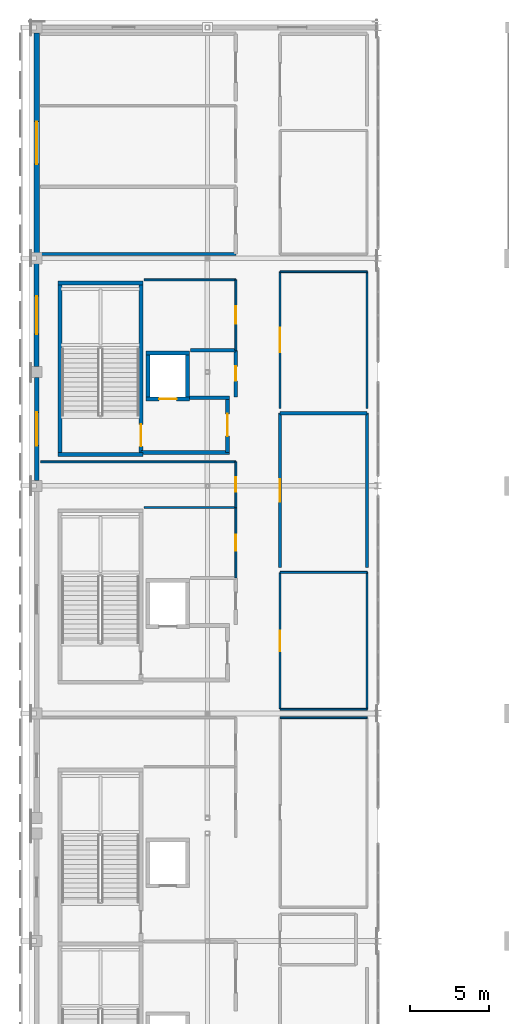
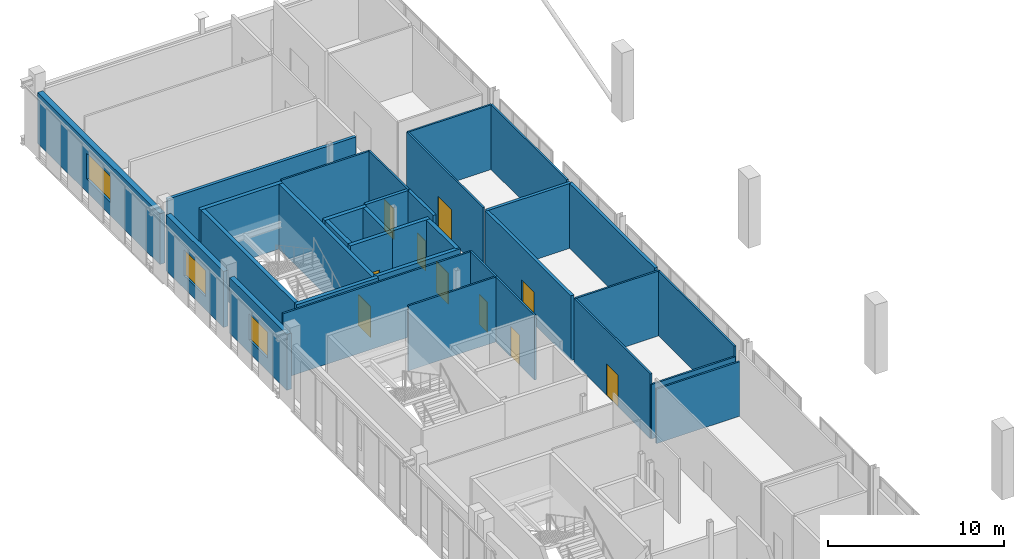
# One storey, part 34 of 51: 34 walls, 10 doors, 3 windows, 13 openings.
"""IFC4 building model written with IfcOpenShell, lengths in metres."""

import ifcopenshell
import ifcopenshell.guid

model = None  # the IFC model being written
_history = None  # IfcOwnerHistory: only IFC2X3 demands one
_inside = {}  # id of a spatial element -> (the spatial element, [elements in it])
_under = {}  # id of a project, library or spatial element -> (it, [spatial elements below it])
_declared = {}  # id of a project -> (the project, [libraries it declares])
_typed = {}  # id of a type object -> (the type object, [elements of that type])
_made_of = {}  # id of a material, layer set ... -> (it, [elements and type objects made of it])


def new_model(schema):
    """Start an empty IFC model of exactly this schema.

    Asked for "IFC4X3", IfcOpenShell would pick the latest addendum, in which some entities
    have other attributes; the version numbers below select the first issue.
    IFC2X3 requires an IfcOwnerHistory on every rooted entity: one is made here for all.
    """
    global model, _history
    if schema == "IFC4X3":
        model = ifcopenshell.file(schema_version=(4, 3, 0, 0))
    else:
        model = ifcopenshell.file(schema=schema)
    _inside.clear()
    _under.clear()
    _declared.clear()
    _typed.clear()
    _made_of.clear()
    _history = None
    if model.schema == "IFC2X3":
        org = make("IfcOrganization", Name="unknown")
        user = make(
            "IfcPersonAndOrganization",
            ThePerson=make("IfcPerson", FamilyName="unknown"),
            TheOrganization=org,
        )
        app = make(
            "IfcApplication",
            ApplicationDeveloper=org,
            Version="unknown",
            ApplicationFullName="unknown",
            ApplicationIdentifier="unknown",
        )
        _history = make(
            "IfcOwnerHistory",
            OwningUser=user,
            OwningApplication=app,
            ChangeAction="ADDED",
            CreationDate=0,
        )
    return model


def make(cls, **values):
    """One entity of the class cls with the attributes given. An attribute that is None is left unset."""
    return model.create_entity(
        cls, **{name: value for name, value in values.items() if value is not None}
    )


def rooted(cls, **values):
    """An entity with a GlobalId (a new one), such as an element, a storey or a relation."""
    return make(cls, GlobalId=ifcopenshell.guid.new(), OwnerHistory=_history, **values)


def si_unit(unit_type, name, prefix=None):
    """IfcSIUnit, for example si_unit("LENGTHUNIT", "METRE", prefix="MILLI")."""
    return make("IfcSIUnit", UnitType=unit_type, Prefix=prefix, Name=name)


def assignment(units):
    """IfcUnitAssignment: the units of a project."""
    return None if units is None else make("IfcUnitAssignment", Units=units)


def point(xyz):
    """IfcCartesianPoint."""
    return None if xyz is None else make("IfcCartesianPoint", Coordinates=xyz)


def direction(xyz):
    """IfcDirection."""
    return None if xyz is None else make("IfcDirection", DirectionRatios=xyz)


def frame(location, z_axis=None, x_axis=None):
    """IfcAxis2Placement3D, a coordinate frame: its origin and axes. An axis left out is left unset."""
    return make(
        "IfcAxis2Placement3D",
        Location=point(location),
        Axis=direction(z_axis),
        RefDirection=direction(x_axis),
    )


def frame_2d(location, x_axis=None):
    """IfcAxis2Placement2D, a coordinate frame in the plane: its origin and x axis."""
    return make(
        "IfcAxis2Placement2D", Location=point(location), RefDirection=direction(x_axis)
    )


def origin():
    """The frame at (0, 0, 0) with its axes left unset."""
    return frame((0.0, 0.0, 0.0))


def place(relative_to, where):
    """IfcLocalPlacement: puts the frame where relative to a parent placement (None: the world)."""
    return make(
        "IfcLocalPlacement", PlacementRelTo=relative_to, RelativePlacement=where
    )


def context(
    kind, dimensions, precision=None, world=None, true_north=None, identifier=None
):
    """IfcGeometricRepresentationContext, for example the 3D "Model" context."""
    return make(
        "IfcGeometricRepresentationContext",
        ContextIdentifier=identifier,
        ContextType=kind,
        CoordinateSpaceDimension=dimensions,
        Precision=precision,
        WorldCoordinateSystem=world,
        TrueNorth=true_north,
    )


def subcontext(parent, identifier, kind, view, scale=None):
    """IfcGeometricRepresentationSubContext, for example "Body" below "Model"."""
    return make(
        "IfcGeometricRepresentationSubContext",
        ContextIdentifier=identifier,
        ContextType=kind,
        ParentContext=parent,
        TargetScale=scale,
        TargetView=view,
    )


def project(units=None, contexts=None):
    """IfcProject with its units and contexts."""
    return rooted(
        "IfcProject",
        Name="project",
        RepresentationContexts=contexts,
        UnitsInContext=assignment(units),
    )


def spatial(cls, under=None, at=None, **own):
    """A site, building, storey or space (cls), placed at a placement, below another one or the project."""
    s = rooted(cls, ObjectPlacement=at, **own)
    if under is not None:
        _under.setdefault(under.id(), (under, []))[1].append(s)
    return s


def profile(cls, at=None, kind="AREA", **sizes):
    """A parametric profile (cls). Its sizes go by their IFC names, for example OverallWidth=200.0."""
    return make(cls, ProfileType=kind, Position=at, **sizes)


def rectangle(**sizes):
    """IfcRectangleProfileDef."""
    return profile("IfcRectangleProfileDef", **sizes)


def extrude(swept, where, along, depth):
    """IfcExtrudedAreaSolid: the profile swept, set in the frame where, extruded along a direction by depth."""
    return make(
        "IfcExtrudedAreaSolid",
        SweptArea=swept,
        Position=where,
        ExtrudedDirection=direction(along),
        Depth=depth,
    )


def shape(context_of_items, identifier, shape_type, items):
    """IfcShapeRepresentation: the items that make up one representation, for example the "Body"."""
    return make(
        "IfcShapeRepresentation",
        ContextOfItems=context_of_items,
        RepresentationIdentifier=identifier,
        RepresentationType=shape_type,
        Items=items,
    )


def material(Name=None, Category=None):
    """IfcMaterial."""
    return make("IfcMaterial", Name=Name, Category=Category)


def layer(
    of_material, thickness, ventilated=None, Name=None, Category=None, Priority=None
):
    """IfcMaterialLayer: one layer of a wall or slab, of a material (None: an air gap)."""
    return make(
        "IfcMaterialLayer",
        Material=of_material,
        LayerThickness=thickness,
        IsVentilated=ventilated,
        Name=Name,
        Category=Category,
        Priority=Priority,
    )


def layer_set(layers, Name=None):
    """IfcMaterialLayerSet."""
    return make("IfcMaterialLayerSet", MaterialLayers=layers, LayerSetName=Name)


def made_of(thing, what):
    """Note that an element or type object is made of a material, layer set ...; save() writes the relation."""
    if what is not None:
        _made_of.setdefault(what.id(), (what, []))[1].append(thing)
    return thing


def type_object(cls, material=None, **own):
    """A type object (cls), such as IfcWallType, which elements share."""
    return made_of(rooted(cls, **own), material)


def element(
    cls,
    number,
    at=None,
    inside=None,
    cuts=None,
    type_object=None,
    material=None,
    context=None,
    identifier="Body",
    shape_type=None,
    held_by="IfcProductDefinitionShape",
    body=None,
    shapes=None,
    **own,
):
    """One element of the class cls, such as IfcWall. Its Tag is "e" and its number.

    at: its placement. inside: the storey or other place that contains it. cuts: it is an
    opening in that element (IfcRelVoidsElement). A single representation is given by context,
    identifier, shape_type and body (its items); several are given by shapes. held_by: the class
    of the entity that holds the representations. save() writes the other relations.
    """
    e = rooted(cls, Tag="e%d" % number, ObjectPlacement=at, **own)
    if body is not None:
        shapes = [shape(context, identifier, shape_type, body)]
    if shapes is not None:
        e.Representation = make(held_by, Representations=shapes)
    if inside is not None:
        _inside.setdefault(inside.id(), (inside, []))[1].append(e)
    if cuts is not None:
        rooted(
            "IfcRelVoidsElement", RelatingBuildingElement=cuts, RelatedOpeningElement=e
        )
    if type_object is not None:
        _typed.setdefault(type_object.id(), (type_object, []))[1].append(e)
    return made_of(e, material)


def fill(opening, filler):
    """IfcRelFillsElement: the door or window that sits in an opening."""
    return rooted(
        "IfcRelFillsElement",
        RelatingOpeningElement=opening,
        RelatedBuildingElement=filler,
    )


def aggregate(whole, parts):
    """IfcRelAggregates: a whole, such as a stair, and the parts it consists of."""
    return rooted("IfcRelAggregates", RelatingObject=whole, RelatedObjects=parts)


def save(model, path):
    """Write the relations noted so far, then the file.

    IfcRelAggregates (storeys below a building ...), IfcRelContainedInSpatialStructure (elements
    in a storey), IfcRelDefinesByType, IfcRelAssociatesMaterial and IfcRelDeclares: one each for
    every whole, place, type object, material and project.
    """
    for whole, parts in _under.values():
        aggregate(whole, parts)
    for where, things in _inside.values():
        rooted(
            "IfcRelContainedInSpatialStructure",
            RelatedElements=things,
            RelatingStructure=where,
        )
    for kind, things in _typed.values():
        rooted("IfcRelDefinesByType", RelatedObjects=things, RelatingType=kind)
    for what, things in _made_of.values():
        rooted("IfcRelAssociatesMaterial", RelatedObjects=things, RelatingMaterial=what)
    for by, libraries in _declared.values():
        rooted("IfcRelDeclares", RelatingContext=by, RelatedDefinitions=libraries)
    model.write(path)


model = new_model("IFC4")

# Units and contexts
model_context = context("Model", 3, precision=1e-05, world=origin(), true_north=direction((0.0, 1.0)))
body_context = subcontext(model_context, "Body", "Model", "MODEL_VIEW")
ifc_project = project(units=[si_unit("LENGTHUNIT", "METRE"), si_unit("AREAUNIT", "SQUARE_METRE"), si_unit("VOLUMEUNIT", "CUBIC_METRE"), si_unit("PLANEANGLEUNIT", "RADIAN"), si_unit("MASSUNIT", "GRAM", prefix="KILO")], contexts=[model_context])

# Site, building, storey
site_placement = place(None, origin())
site = spatial("IfcSite", under=ifc_project, at=site_placement, CompositionType="ELEMENT")
building_placement = place(site_placement, origin())
building = spatial("IfcBuilding", under=site, at=building_placement, Name="Koshinbarg Plaza Stadium", CompositionType="ELEMENT")
storey_placement = place(building_placement, frame((0.0, 0.0, 24.60009765625)))
storey = spatial("IfcBuildingStorey", under=building, at=storey_placement, Name="L05", CompositionType="ELEMENT", Elevation=24.60009765625)

# Walls
ifc_material_1 = material(Name="Concrete C40/50", Category="concrete")
ifc_layer_1 = layer(ifc_material_1, 0.25)
ifc_layer_set_1 = layer_set([ifc_layer_1], Name="Concrete C40/50")
wall_type_1 = type_object("IfcWallType", Name="WL-CORE-250", PredefinedType="SHEAR", material=ifc_layer_set_1)
for number, where, z_axis, x_axis, name in (
    (1, (25.949951171875, 99.47509765625, 0.0), (0.0, 0.0, 1.0), (1.0, 0.0, 0.0), "L05 core stair shear wall C06-near IWL-L05-0154"),
    (2, (31.320068359375, 110.324951171875, 0.0), (0.0, 0.0, 1.0), (-1.0, 0.0, 0.0), "L05 core stair shear wall C06-far IWL-L05-0155"),
):
    element("IfcWall", number, at=place(storey_placement, frame(where, z_axis=z_axis, x_axis=x_axis)), inside=storey, type_object=wall_type_1, Name=name, PredefinedType="SHEAR", context=body_context, shape_type="SweptSolid", body=[
        extrude(rectangle(XDim=5.3701171875, YDim=0.25, at=frame_2d((2.68505859375, 0.0))), origin(), (0.0, 0.0, 1.0), 4.5),
    ])
wall_1_placement = place(storey_placement, frame((26.074951171875, 99.47509765625, 0.0), z_axis=(0.0, 0.0, 1.0), x_axis=(0.0, 1.0, 0.0)))
element("IfcWall", 3, at=wall_1_placement, inside=storey, type_object=wall_type_1, Name="L05 core stair shear wall C06-left IWL-L05-0156", PredefinedType="SHEAR", context=body_context, shape_type="SweptSolid", body=[
    extrude(rectangle(XDim=10.849853515625, YDim=0.25, at=frame_2d((5.4248046875, 0.0))), origin(), (0.0, 0.0, 1.0), 4.5),
])

# Wall, opening, door
wall_2_placement = place(storey_placement, frame((31.195068359375, 99.47509765625, 0.0), z_axis=(0.0, 0.0, 1.0), x_axis=(0.0, 1.0, 0.0)))
wall_2 = element("IfcWall", 4, at=wall_2_placement, inside=storey, type_object=wall_type_1, Name="L05 core stair shear wall C06-right IWL-L05-0157", PredefinedType="SHEAR", context=body_context, shape_type="SweptSolid", body=[
    extrude(rectangle(XDim=10.849853515625, YDim=0.25, at=frame_2d((5.4248046875, 0.0))), origin(), (0.0, 0.0, 1.0), 4.5),
])
opening_1_placement = place(wall_2_placement, frame((0.52001953125, 0.0, 0.0)))
opening_1 = element("IfcOpeningElement", 5, at=opening_1_placement, cuts=wall_2, Name="Opening D-0101", PredefinedType="OPENING", context=body_context, shape_type="SweptSolid", body=[
    extrude(rectangle(XDim=1.39990234375, YDim=2.14990234375, at=frame_2d((0.699951171875, 1.074951171875))), frame((0.0, 0.135009765625, 0.0), z_axis=(0.0, -1.0, 0.0), x_axis=(1.0, 0.0, 0.0)), (0.0, 0.0, 1.0), 0.27001953125),
])
ifc_material_2 = material(Name="Painted galvanized steel fire door", Category="steel")
door_type_1 = type_object("IfcDoorType", Name="DR-STAIR-1400", OperationType="NOTDEFINED", PredefinedType="DOOR", material=ifc_material_2)
door_1_placement = place(opening_1_placement, origin())
door_1 = element("IfcDoor", 6, at=door_1_placement, inside=storey, type_object=door_type_1, Name="L05 exit stair door C06", OperationType="SINGLE_SWING_RIGHT", OverallHeight=2.14990234375, OverallWidth=1.39990234375, PredefinedType="DOOR", context=body_context, shape_type="SweptSolid", body=[
    extrude(rectangle(XDim=1.39990234375, YDim=2.14990234375, at=frame_2d((0.699951171875, 1.074951171875))), frame((0.0, 0.02490234375, 0.0), z_axis=(0.0, -1.0, 0.0), x_axis=(1.0, 0.0, 0.0)), (0.0, 0.0, 1.0), 0.050048828125),
])
fill(opening_1, door_1)

wall_3_placement = place(storey_placement, frame((31.52490234375, 103.0, 0.0), z_axis=(0.0, 0.0, 1.0), x_axis=(1.0, 0.0, 0.0)))
wall_3 = element("IfcWall", 7, at=wall_3_placement, inside=storey, type_object=wall_type_1, Name="L05 lift shaft shear wall FL04-S IWL-L05-0848", PredefinedType="SHEAR", context=body_context, shape_type="SweptSolid", body=[
    extrude(rectangle(XDim=2.75, YDim=0.25, at=frame_2d((1.375, 0.0))), origin(), (0.0, 0.0, 1.0), 4.5),
])
opening_2_placement = place(wall_3_placement, frame((0.824951171875, 0.0, 0.0)))
opening_2 = element("IfcOpeningElement", 8, at=opening_2_placement, cuts=wall_3, Name="Opening D-0281", PredefinedType="OPENING", context=body_context, shape_type="SweptSolid", body=[
    extrude(rectangle(XDim=1.10009765625, YDim=2.14990234375, at=frame_2d((0.550048828125, 1.074951171875))), frame((0.0, 0.135009765625, 0.0), z_axis=(0.0, -1.0, 0.0), x_axis=(1.0, 0.0, 0.0)), (0.0, 0.0, 1.0), 0.27001953125),
])
ifc_material_3 = material(Name="Brushed stainless steel sliding lift landing door", Category="steel")
door_type_2 = type_object("IfcDoorType", Name="DR-LIFT-1100", OperationType="NOTDEFINED", PredefinedType="DOOR", material=ifc_material_3)
door_2_placement = place(opening_2_placement, origin())
door_2 = element("IfcDoor", 9, at=door_2_placement, inside=storey, type_object=door_type_2, Name="L05 lift landing door FL04", OperationType="SLIDING_TO_LEFT", OverallHeight=2.14990234375, OverallWidth=1.10009765625, PredefinedType="DOOR", context=body_context, shape_type="SweptSolid", body=[
    extrude(rectangle(XDim=1.10009765625, YDim=2.14990234375, at=frame_2d((0.550048828125, 1.074951171875))), frame((0.0, 0.02490234375, 0.0), z_axis=(0.0, -1.0, 0.0), x_axis=(1.0, 0.0, 0.0)), (0.0, 0.0, 1.0), 0.050048828125),
])
fill(opening_2, door_2)

# Walls
wall_4_placement = place(storey_placement, frame((34.27490234375, 105.89990234375, 0.0), z_axis=(0.0, 0.0, 1.0), x_axis=(-1.0, 0.0, 0.0)))
element("IfcWall", 10, at=wall_4_placement, inside=storey, type_object=wall_type_1, Name="L05 lift shaft shear wall FL04-N IWL-L05-0849", PredefinedType="SHEAR", context=body_context, shape_type="SweptSolid", body=[
    extrude(rectangle(XDim=2.75, YDim=0.25, at=frame_2d((1.375, 0.0))), origin(), (0.0, 0.0, 1.0), 4.5),
])
for number, where, z_axis, x_axis, name in (
    (11, (31.64990234375, 105.89990234375, 0.0), (0.0, 0.0, 1.0), (0.0, -1.0, 0.0), "L05 lift shaft shear wall FL04-W IWL-L05-0850"),
    (12, (34.14990234375, 103.0, 0.0), (0.0, 0.0, 1.0), (0.0, 1.0, 0.0), "L05 lift shaft shear wall FL04-E IWL-L05-0851"),
):
    element("IfcWall", number, at=place(storey_placement, frame(where, z_axis=z_axis, x_axis=x_axis)), inside=storey, type_object=wall_type_1, Name=name, PredefinedType="SHEAR", context=body_context, shape_type="SweptSolid", body=[
        extrude(rectangle(XDim=2.89990234375, YDim=0.25, at=frame_2d((1.449951171875, 0.0))), origin(), (0.0, 0.0, 1.0), 4.5),
    ])

# Wall, opening, door
wall_5_placement = place(storey_placement, frame((36.675048828125, 99.625, 0.0), z_axis=(0.0, 0.0, 1.0), x_axis=(0.0, 1.0, 0.0)))
wall_5 = element("IfcWall", 13, at=wall_5_placement, inside=storey, type_object=wall_type_1, Name="L05 firefighting lobby wall C06-E IWL-L05-0852", PredefinedType="SHEAR", context=body_context, shape_type="SweptSolid", body=[
    extrude(rectangle(XDim=3.449951171875, YDim=0.25, at=frame_2d((1.72509765625, 0.0))), origin(), (0.0, 0.0, 1.0), 4.5),
])
opening_3_placement = place(wall_5_placement, frame((1.02490234375, 0.0, 0.0)))
opening_3 = element("IfcOpeningElement", 14, at=opening_3_placement, cuts=wall_5, Name="Opening D-0282", PredefinedType="OPENING", context=body_context, shape_type="SweptSolid", body=[
    extrude(rectangle(XDim=1.39990234375, YDim=2.14990234375, at=frame_2d((0.699951171875, 1.074951171875))), frame((0.0, 0.135009765625, 0.0), z_axis=(0.0, -1.0, 0.0), x_axis=(1.0, 0.0, 0.0)), (0.0, 0.0, 1.0), 0.27001953125),
])
ifc_material_4 = material(Name="Smoke-sealed steel firefighting lobby door", Category="steel")
door_type_3 = type_object("IfcDoorType", Name="DR-FFLOB-1400", OperationType="NOTDEFINED", PredefinedType="DOOR", material=ifc_material_4)
door_3_placement = place(opening_3_placement, origin())
door_3 = element("IfcDoor", 15, at=door_3_placement, inside=storey, type_object=door_type_3, Name="L05 firefighting lobby fire door C06", OperationType="DOUBLE_DOOR_SINGLE_SWING", OverallHeight=2.14990234375, OverallWidth=1.39990234375, PredefinedType="DOOR", context=body_context, shape_type="SweptSolid", body=[
    extrude(rectangle(XDim=1.39990234375, YDim=2.14990234375, at=frame_2d((0.699951171875, 1.074951171875))), frame((0.0, 0.02490234375, 0.0), z_axis=(0.0, -1.0, 0.0), x_axis=(1.0, 0.0, 0.0)), (0.0, 0.0, 1.0), 0.050048828125),
])
fill(opening_3, door_3)

# Walls
wall_6_placement = place(storey_placement, frame((34.27490234375, 103.074951171875, 0.0), z_axis=(0.0, 0.0, 1.0), x_axis=(1.0, 0.0, 0.0)))
element("IfcWall", 16, at=wall_6_placement, inside=storey, type_object=wall_type_1, Name="L05 firefighting lobby wall C06-NE IWL-L05-0853", PredefinedType="SHEAR", context=body_context, shape_type="SweptSolid", body=[
    extrude(rectangle(XDim=2.525146484375, YDim=0.25, at=frame_2d((1.2626953125, 0.0))), origin(), (0.0, 0.0, 1.0), 4.5),
])
wall_7_placement = place(storey_placement, frame((31.199951171875, 99.625, 0.0), z_axis=(0.0, 0.0, 1.0), x_axis=(1.0, 0.0, 0.0)))
element("IfcWall", 17, at=wall_7_placement, inside=storey, type_object=wall_type_1, Name="L05 firefighting lobby wall C06-S IWL-L05-0854", PredefinedType="SHEAR", context=body_context, shape_type="SweptSolid", body=[
    extrude(rectangle(XDim=5.60009765625, YDim=0.25, at=frame_2d((2.800048828125, 0.0))), origin(), (0.0, 0.0, 1.0), 4.5),
])

# Wall, opening, window
ifc_material_5 = material(Name="Off-white mineral plaster insulated wall", Category="masonry")
ifc_layer_2 = layer(ifc_material_5, 0.300048828125)
ifc_layer_set_2 = layer_set([ifc_layer_2], Name="Off-white mineral plaster insulated wall")
wall_type_2 = type_object("IfcWallType", Name="WL-EXT-300", PredefinedType="SOLIDWALL", material=ifc_layer_set_2)
wall_8_placement = place(storey_placement, frame((24.60009765625, 97.844970703125, 0.0), z_axis=(0.0, 0.0, 1.0), x_axis=(0.0, 1.0, 0.0)))
wall_8 = element("IfcWall", 18, at=wall_8_placement, inside=storey, type_object=wall_type_2, Name="L05 exterior envelope wall EWL-L05-0229", PredefinedType="SOLIDWALL", context=body_context, shape_type="SweptSolid", body=[
    extrude(rectangle(XDim=6.510009765625, YDim=0.300048828125, at=frame_2d((3.2548828125, 0.0))), origin(), (0.0, 0.0, 1.0), 3.8798828125),
])
opening_4_placement = place(wall_8_placement, frame((2.205078125, 0.0, 0.89990234375)))
opening_4 = element("IfcOpeningElement", 19, at=opening_4_placement, cuts=wall_8, Name="Opening WN10", PredefinedType="OPENING", context=body_context, shape_type="SweptSolid", body=[
    extrude(rectangle(XDim=2.10009765625, YDim=1.800048828125, at=frame_2d((1.050048828125, 0.89990234375))), frame((0.0, 0.159912109375, 0.0), z_axis=(0.0, -1.0, 0.0), x_axis=(1.0, 0.0, 0.0)), (0.0, 0.0, 1.0), 0.320068359375),
])
ifc_material_6 = material(Name="Solar-control double glazing in thermally broken aluminium frame", Category="aluminium")
window_type_1 = type_object("IfcWindowType", Name="WN-FAC-10", PartitioningType="DOUBLE_PANEL_VERTICAL", PredefinedType="WINDOW", material=ifc_material_6)
window_1_placement = place(opening_4_placement, origin())
window_1 = element("IfcWindow", 20, at=window_1_placement, inside=storey, type_object=window_type_1, Name="L05 facade window 0161", OverallHeight=1.800048828125, OverallWidth=2.10009765625, PartitioningType="SINGLE_PANEL", PredefinedType="WINDOW", context=body_context, shape_type="SweptSolid", body=[
    extrude(rectangle(XDim=2.10009765625, YDim=1.800048828125, at=frame_2d((1.050048828125, 0.89990234375))), frame((0.0, 0.030029296875, 0.0), z_axis=(0.0, -1.0, 0.0), x_axis=(1.0, 0.0, 0.0)), (0.0, 0.0, 1.0), 0.06005859375),
])
fill(opening_4, window_1)

ifc_material_7 = material(Name="Ultramarine-blue pigmented mineral plaster facade wall", Category="masonry")
ifc_layer_3 = layer(ifc_material_7, 0.320068359375)
ifc_layer_set_3 = layer_set([ifc_layer_3], Name="Ultramarine-blue pigmented mineral plaster facade wall")
wall_type_3 = type_object("IfcWallType", Name="WL-EXT-320", PredefinedType="SOLIDWALL", material=ifc_layer_set_3)
wall_9_placement = place(storey_placement, frame((24.60009765625, 105.044921875, 0.0), z_axis=(0.0, 0.0, 1.0), x_axis=(0.0, 1.0, 0.0)))
wall_9 = element("IfcWall", 21, at=wall_9_placement, inside=storey, type_object=wall_type_3, Name="L05 exterior envelope wall EWL-L05-0230", PredefinedType="SOLIDWALL", context=body_context, shape_type="SweptSolid", body=[
    extrude(rectangle(XDim=6.510009765625, YDim=0.320068359375, at=frame_2d((3.2548828125, 0.0))), origin(), (0.0, 0.0, 1.0), 3.8798828125),
])
opening_5_placement = place(wall_9_placement, frame((2.054931640625, 0.0, 0.89990234375)))
opening_5 = element("IfcOpeningElement", 22, at=opening_5_placement, cuts=wall_9, Name="Opening WN11", PredefinedType="OPENING", context=body_context, shape_type="SweptSolid", body=[
    extrude(rectangle(XDim=2.39990234375, YDim=1.800048828125, at=frame_2d((1.199951171875, 0.89990234375))), frame((0.0, 0.169921875, 0.0), z_axis=(0.0, -1.0, 0.0), x_axis=(1.0, 0.0, 0.0)), (0.0, 0.0, 1.0), 0.340087890625),
])
window_type_2 = type_object("IfcWindowType", Name="WN-FAC-11", PartitioningType="DOUBLE_PANEL_VERTICAL", PredefinedType="WINDOW", material=ifc_material_6)
window_2_placement = place(opening_5_placement, origin())
window_2 = element("IfcWindow", 23, at=window_2_placement, inside=storey, type_object=window_type_2, Name="L05 facade window 0162", OverallHeight=1.800048828125, OverallWidth=2.39990234375, PartitioningType="SINGLE_PANEL", PredefinedType="WINDOW", context=body_context, shape_type="SweptSolid", body=[
    extrude(rectangle(XDim=2.39990234375, YDim=1.800048828125, at=frame_2d((1.199951171875, 0.89990234375))), frame((0.0, 0.030029296875, 0.0), z_axis=(0.0, -1.0, 0.0), x_axis=(1.0, 0.0, 0.0)), (0.0, 0.0, 1.0), 0.06005859375),
])
fill(opening_5, window_2)

ifc_material_8 = material(Name="Acoustic insulated masonry stadium wall", Category="masonry")
ifc_layer_4 = layer(ifc_material_8, 0.35009765625)
ifc_layer_set_4 = layer_set([ifc_layer_4], Name="Acoustic insulated masonry stadium wall")
wall_type_4 = type_object("IfcWallType", Name="WL-EXT-350", PredefinedType="SOLIDWALL", material=ifc_layer_set_4)
wall_10_placement = place(storey_placement, frame((24.60009765625, 112.2451171875, 0.0), z_axis=(0.0, 0.0, 1.0), x_axis=(0.0, 1.0, 0.0)))
wall_10 = element("IfcWall", 24, at=wall_10_placement, inside=storey, type_object=wall_type_4, Name="L05 exterior envelope wall EWL-L05-0231", PredefinedType="SOLIDWALL", context=body_context, shape_type="SweptSolid", body=[
    extrude(rectangle(XDim=13.909912109375, YDim=0.35009765625, at=frame_2d((6.955078125, 0.0))), origin(), (0.0, 0.0, 1.0), 3.52001953125),
])
opening_6_placement = place(wall_10_placement, frame((5.60498046875, 0.0, 0.89990234375)))
opening_6 = element("IfcOpeningElement", 25, at=opening_6_placement, cuts=wall_10, Name="Opening WN12", PredefinedType="OPENING", context=body_context, shape_type="SweptSolid", body=[
    extrude(rectangle(XDim=2.699951171875, YDim=1.800048828125, at=frame_2d((1.35009765625, 0.89990234375))), frame((0.0, 0.18505859375, 0.0), z_axis=(0.0, -1.0, 0.0), x_axis=(1.0, 0.0, 0.0)), (0.0, 0.0, 1.0), 0.3701171875),
])
window_type_3 = type_object("IfcWindowType", Name="WN-FAC-12", PartitioningType="DOUBLE_PANEL_VERTICAL", PredefinedType="WINDOW", material=ifc_material_6)
window_3_placement = place(opening_6_placement, origin())
window_3 = element("IfcWindow", 26, at=window_3_placement, inside=storey, type_object=window_type_3, Name="L05 facade window 0163", OverallHeight=1.800048828125, OverallWidth=2.699951171875, PartitioningType="SINGLE_PANEL", PredefinedType="WINDOW", context=body_context, shape_type="SweptSolid", body=[
    extrude(rectangle(XDim=2.699951171875, YDim=1.800048828125, at=frame_2d((1.35009765625, 0.89990234375))), frame((0.0, 0.030029296875, 0.0), z_axis=(0.0, -1.0, 0.0), x_axis=(1.0, 0.0, 0.0)), (0.0, 0.0, 1.0), 0.06005859375),
])
fill(opening_6, window_3)

# Wall
ifc_material_9 = material(Name="Gypsum board metal-stud acoustic partition")
ifc_layer_5 = layer(ifc_material_9, 0.1201171875)
ifc_layer_set_5 = layer_set([ifc_layer_5], Name="Gypsum board metal-stud acoustic partition")
wall_type_5 = type_object("IfcWallType", Name="WL-PART-120", PredefinedType="PARTITIONING", material=ifc_layer_set_5)
wall_11_placement = place(storey_placement, frame((45.5, 82.830078125, 0.0), z_axis=(0.0, 0.0, 1.0), x_axis=(-1.0, 0.0, 0.0)))
element("IfcWall", 27, at=wall_11_placement, inside=storey, type_object=wall_type_5, Name="L05 interior partition L05-46-north IWL-L05-2292", PredefinedType="PARTITIONING", context=body_context, shape_type="SweptSolid", body=[
    extrude(rectangle(XDim=5.5, YDim=0.1201171875, at=frame_2d((2.75, 0.0))), origin(), (0.0, 0.0, 1.0), 3.77978515625),
])

# Wall, opening, door
wall_12_placement = place(storey_placement, frame((37.199951171875, 96.1298828125, 0.0), z_axis=(0.0, 0.0, 1.0), x_axis=(0.0, 1.0, 0.0)))
wall_12 = element("IfcWall", 28, at=wall_12_placement, inside=storey, type_object=wall_type_5, Name="L05 interior partition L05-47-east IWL-L05-2294", PredefinedType="PARTITIONING", context=body_context, shape_type="SweptSolid", body=[
    extrude(rectangle(XDim=2.888671875, YDim=0.1201171875, at=frame_2d((1.4443359375, 0.0))), origin(), (0.0, 0.0, 1.0), 4.5),
])
opening_7_placement = place(wall_12_placement, frame((0.984375, 0.0, 0.0)))
opening_7 = element("IfcOpeningElement", 29, at=opening_7_placement, cuts=wall_12, Name="Opening D-0794", PredefinedType="OPENING", context=body_context, shape_type="SweptSolid", body=[
    extrude(rectangle(XDim=0.919921875, YDim=2.10009765625, at=frame_2d((0.4599609375, 1.050048828125))), frame((0.0, 0.070068359375, 0.0), z_axis=(0.0, -1.0, 0.0), x_axis=(1.0, 0.0, 0.0)), (0.0, 0.0, 1.0), 0.14013671875),
])
ifc_material_10 = material(Name="Solid-core oak veneer acoustic door")
door_type_4 = type_object("IfcDoorType", Name="DR-INT-0920x2100", OperationType="NOTDEFINED", PredefinedType="DOOR", material=ifc_material_10)
door_4_placement = place(opening_7_placement, origin())
door_4 = element("IfcDoor", 30, at=door_4_placement, inside=storey, type_object=door_type_4, Name="L05 Hospitality Pantry Kitchen door D-0794", OperationType="SINGLE_SWING_RIGHT", OverallHeight=2.10009765625, OverallWidth=0.919921875, PredefinedType="DOOR", context=body_context, shape_type="SweptSolid", body=[
    extrude(rectangle(XDim=0.919921875, YDim=2.10009765625, at=frame_2d((0.4599609375, 1.050048828125))), frame((0.0, 0.02490234375, 0.0), z_axis=(0.0, -1.0, 0.0), x_axis=(1.0, 0.0, 0.0)), (0.0, 0.0, 1.0), 0.050048828125),
])
fill(opening_7, door_4)

# Wall
wall_13_placement = place(storey_placement, frame((37.199951171875, 99.0185546875, 0.0), z_axis=(0.0, 0.0, 1.0), x_axis=(-1.0, 0.0, 0.0)))
element("IfcWall", 31, at=wall_13_placement, inside=storey, type_object=wall_type_5, Name="L05 interior partition L05-47-north IWL-L05-2295", PredefinedType="PARTITIONING", context=body_context, shape_type="SweptSolid", body=[
    extrude(rectangle(XDim=12.35498046875, YDim=0.1201171875, at=frame_2d((6.177490234375, 0.0))), origin(), (0.0, 0.0, 1.0), 4.5),
])

# Wall, opening, door
wall_14_placement = place(storey_placement, frame((37.199951171875, 91.679931640625, 0.0), z_axis=(0.0, 0.0, 1.0), x_axis=(0.0, 1.0, 0.0)))
wall_14 = element("IfcWall", 32, at=wall_14_placement, inside=storey, type_object=wall_type_5, Name="L05 interior partition L05-48-east IWL-L05-2296", PredefinedType="PARTITIONING", context=body_context, shape_type="SweptSolid", body=[
    extrude(rectangle(XDim=4.449951171875, YDim=0.1201171875, at=frame_2d((2.22509765625, 0.0))), origin(), (0.0, 0.0, 1.0), 4.5),
])
opening_8_placement = place(wall_14_placement, frame((1.72509765625, 0.0, 0.0)))
opening_8 = element("IfcOpeningElement", 33, at=opening_8_placement, cuts=wall_14, Name="Opening D-0795", PredefinedType="OPENING", context=body_context, shape_type="SweptSolid", body=[
    extrude(rectangle(XDim=1.0, YDim=2.10009765625, at=frame_2d((0.5, 1.050048828125))), frame((0.0, 0.070068359375, 0.0), z_axis=(0.0, -1.0, 0.0), x_axis=(1.0, 0.0, 0.0)), (0.0, 0.0, 1.0), 0.14013671875),
])
ifc_material_11 = material(Name="Solid-core laminate accessible WC door")
door_type_5 = type_object("IfcDoorType", Name="DR-INT-1000x2100", OperationType="NOTDEFINED", PredefinedType="DOOR", material=ifc_material_11)
door_5_placement = place(opening_8_placement, origin())
door_5 = element("IfcDoor", 34, at=door_5_placement, inside=storey, type_object=door_type_5, Name="L05 Belvedere Dining Hall door D-0795", OperationType="SINGLE_SWING_LEFT", OverallHeight=2.10009765625, OverallWidth=1.0, PredefinedType="DOOR", context=body_context, shape_type="SweptSolid", body=[
    extrude(rectangle(XDim=1.0, YDim=2.10009765625, at=frame_2d((0.5, 1.050048828125))), frame((0.0, 0.02490234375, 0.0), z_axis=(0.0, -1.0, 0.0), x_axis=(1.0, 0.0, 0.0)), (0.0, 0.0, 1.0), 0.050048828125),
])
fill(opening_8, door_5)

# Wall
wall_15_placement = place(storey_placement, frame((37.199951171875, 96.1298828125, 0.0), z_axis=(0.0, 0.0, 1.0), x_axis=(-1.0, 0.0, 0.0)))
element("IfcWall", 35, at=wall_15_placement, inside=storey, type_object=wall_type_5, Name="L05 interior partition L05-48-north IWL-L05-2297", PredefinedType="PARTITIONING", context=body_context, shape_type="SweptSolid", body=[
    extrude(rectangle(XDim=5.800048828125, YDim=0.1201171875, at=frame_2d((2.89990234375, 0.0))), origin(), (0.0, 0.0, 1.0), 4.5),
])

# Wall, opening, door
wall_16_placement = place(storey_placement, frame((37.199951171875, 106.080078125, 0.0), z_axis=(0.0, 0.0, 1.0), x_axis=(0.0, 1.0, 0.0)))
wall_16 = element("IfcWall", 36, at=wall_16_placement, inside=storey, type_object=wall_type_5, Name="L05 interior partition L05-50-east IWL-L05-2300", PredefinedType="PARTITIONING", context=body_context, shape_type="SweptSolid", body=[
    extrude(rectangle(XDim=4.449951171875, YDim=0.1201171875, at=frame_2d((2.22509765625, 0.0))), origin(), (0.0, 0.0, 1.0), 4.5),
])
opening_9_placement = place(wall_16_placement, frame((1.6650390625, 0.0, 0.0)))
opening_9 = element("IfcOpeningElement", 37, at=opening_9_placement, cuts=wall_16, Name="Opening D-0797", PredefinedType="OPENING", context=body_context, shape_type="SweptSolid", body=[
    extrude(rectangle(XDim=1.1201171875, YDim=2.14990234375, at=frame_2d((0.56005859375, 1.074951171875))), frame((0.0, 0.070068359375, 0.0), z_axis=(0.0, -1.0, 0.0), x_axis=(1.0, 0.0, 0.0)), (0.0, 0.0, 1.0), 0.14013671875),
])
ifc_material_12 = material(Name="Acoustic timber broadcast studio door", Category="wood")
door_type_6 = type_object("IfcDoorType", Name="DR-INT-1120x2150", OperationType="NOTDEFINED", PredefinedType="DOOR", material=ifc_material_12)
door_6_placement = place(opening_9_placement, origin())
door_6 = element("IfcDoor", 38, at=door_6_placement, inside=storey, type_object=door_type_6, Name="L05 Belvedere Dining Hall door D-0797", OperationType="SINGLE_SWING_LEFT", OverallHeight=2.14990234375, OverallWidth=1.1201171875, PredefinedType="DOOR", context=body_context, shape_type="SweptSolid", body=[
    extrude(rectangle(XDim=1.1201171875, YDim=2.14990234375, at=frame_2d((0.56005859375, 1.074951171875))), frame((0.0, 0.02490234375, 0.0), z_axis=(0.0, -1.0, 0.0), x_axis=(1.0, 0.0, 0.0)), (0.0, 0.0, 1.0), 0.050048828125),
])
fill(opening_9, door_6)

# Walls
wall_17_placement = place(storey_placement, frame((37.199951171875, 110.530029296875, 0.0), z_axis=(0.0, 0.0, 1.0), x_axis=(-1.0, 0.0, 0.0)))
element("IfcWall", 39, at=wall_17_placement, inside=storey, type_object=wall_type_5, Name="L05 interior partition L05-50-north IWL-L05-2301", PredefinedType="PARTITIONING", context=body_context, shape_type="SweptSolid", body=[
    extrude(rectangle(XDim=5.800048828125, YDim=0.1201171875, at=frame_2d((2.89990234375, 0.0))), origin(), (0.0, 0.0, 1.0), 4.5),
])
wall_18_placement = place(storey_placement, frame((40.0, 83.3701171875, 0.0), z_axis=(0.0, 0.0, 1.0), x_axis=(1.0, 0.0, 0.0)))
element("IfcWall", 40, at=wall_18_placement, inside=storey, type_object=wall_type_5, Name="L05 interior partition L05-52-south IWL-L05-2304", PredefinedType="PARTITIONING", context=body_context, shape_type="SweptSolid", body=[
    extrude(rectangle(XDim=5.5, YDim=0.1201171875, at=frame_2d((2.75, 0.0))), origin(), (0.0, 0.0, 1.0), 3.77978515625),
])
wall_19_placement = place(storey_placement, frame((45.5, 83.3701171875, 0.0), z_axis=(0.0, 0.0, 1.0), x_axis=(0.0, 1.0, 0.0)))
element("IfcWall", 41, at=wall_19_placement, inside=storey, type_object=wall_type_5, Name="L05 interior partition L05-52-east IWL-L05-2305", PredefinedType="PARTITIONING", context=body_context, shape_type="SweptSolid", body=[
    extrude(rectangle(XDim=8.653564453125, YDim=0.1201171875, at=frame_2d((4.32666015625, 0.0))), origin(), (0.0, 0.0, 1.0), 4.5),
])
wall_20_placement = place(storey_placement, frame((45.5, 92.023681640625, 0.0), z_axis=(0.0, 0.0, 1.0), x_axis=(-1.0, 0.0, 0.0)))
element("IfcWall", 42, at=wall_20_placement, inside=storey, type_object=wall_type_5, Name="L05 interior partition L05-52-north IWL-L05-2306", PredefinedType="PARTITIONING", context=body_context, shape_type="SweptSolid", body=[
    extrude(rectangle(XDim=5.5, YDim=0.1201171875, at=frame_2d((2.75, 0.0))), origin(), (0.0, 0.0, 1.0), 4.5),
])

# Wall, opening, door
wall_21_placement = place(storey_placement, frame((40.0, 92.023681640625, 0.0), z_axis=(0.0, 0.0, 1.0), x_axis=(0.0, -1.0, 0.0)))
wall_21 = element("IfcWall", 43, at=wall_21_placement, inside=storey, type_object=wall_type_5, Name="L05 interior partition L05-52-west IWL-L05-2307", PredefinedType="PARTITIONING", context=body_context, shape_type="SweptSolid", body=[
    extrude(rectangle(XDim=8.653564453125, YDim=0.1201171875, at=frame_2d((4.32666015625, 0.0))), origin(), (0.0, 0.0, 1.0), 4.5),
])
opening_10_placement = place(wall_21_placement, frame((3.6767578125, 0.0, 0.0)))
opening_10 = element("IfcOpeningElement", 44, at=opening_10_placement, cuts=wall_21, Name="Opening D-0799", PredefinedType="OPENING", context=body_context, shape_type="SweptSolid", body=[
    extrude(rectangle(XDim=1.300048828125, YDim=2.199951171875, at=frame_2d((0.64990234375, 1.10009765625))), frame((0.0, 0.070068359375, 0.0), z_axis=(0.0, -1.0, 0.0), x_axis=(1.0, 0.0, 0.0)), (0.0, 0.0, 1.0), 0.14013671875),
])
ifc_material_13 = material(Name="Thermally broken anodised aluminium glazed door", Category="aluminium")
door_type_7 = type_object("IfcDoorType", Name="DR-INT-1300x2200", OperationType="NOTDEFINED", PredefinedType="DOOR", material=ifc_material_13)
door_7_placement = place(opening_10_placement, origin())
door_7 = element("IfcDoor", 45, at=door_7_placement, inside=storey, type_object=door_type_7, Name="L05 Belvedere Dining Hall door D-0799", OperationType="SINGLE_SWING_LEFT", OverallHeight=2.199951171875, OverallWidth=1.300048828125, PredefinedType="DOOR", context=body_context, shape_type="SweptSolid", body=[
    extrude(rectangle(XDim=1.300048828125, YDim=2.199951171875, at=frame_2d((0.64990234375, 1.10009765625))), frame((0.0, 0.02490234375, 0.0), z_axis=(0.0, -1.0, 0.0), x_axis=(1.0, 0.0, 0.0)), (0.0, 0.0, 1.0), 0.050048828125),
])
fill(opening_10, door_7)

# Walls
wall_22_placement = place(storey_placement, frame((45.5, 102.396484375, 0.0), z_axis=(0.0, 0.0, 1.0), x_axis=(0.0, 1.0, 0.0)))
element("IfcWall", 46, at=wall_22_placement, inside=storey, type_object=wall_type_5, Name="L05 interior partition L05-54-east IWL-L05-2311", PredefinedType="PARTITIONING", context=body_context, shape_type="SweptSolid", body=[
    extrude(rectangle(XDim=8.653564453125, YDim=0.1201171875, at=frame_2d((4.32666015625, 0.0))), origin(), (0.0, 0.0, 1.0), 4.5),
])
wall_23_placement = place(storey_placement, frame((45.5, 111.050048828125, 0.0), z_axis=(0.0, 0.0, 1.0), x_axis=(-1.0, 0.0, 0.0)))
element("IfcWall", 47, at=wall_23_placement, inside=storey, type_object=wall_type_5, Name="L05 interior partition L05-54-north IWL-L05-2312", PredefinedType="PARTITIONING", context=body_context, shape_type="SweptSolid", body=[
    extrude(rectangle(XDim=5.5, YDim=0.1201171875, at=frame_2d((2.75, 0.0))), origin(), (0.0, 0.0, 1.0), 4.5),
])

# Wall, opening, door
wall_24_placement = place(storey_placement, frame((40.0, 111.050048828125, 0.0), z_axis=(0.0, 0.0, 1.0), x_axis=(0.0, -1.0, 0.0)))
wall_24 = element("IfcWall", 48, at=wall_24_placement, inside=storey, type_object=wall_type_5, Name="L05 interior partition L05-54-west IWL-L05-2313", PredefinedType="PARTITIONING", context=body_context, shape_type="SweptSolid", body=[
    extrude(rectangle(XDim=8.653564453125, YDim=0.1201171875, at=frame_2d((4.32666015625, 0.0))), origin(), (0.0, 0.0, 1.0), 4.5),
])
opening_11_placement = place(wall_24_placement, frame((3.5517578125, 0.0, 0.0)))
opening_11 = element("IfcOpeningElement", 49, at=opening_11_placement, cuts=wall_24, Name="Opening D-0801", PredefinedType="OPENING", context=body_context, shape_type="SweptSolid", body=[
    extrude(rectangle(XDim=1.550048828125, YDim=2.199951171875, at=frame_2d((0.77490234375, 1.10009765625))), frame((0.0, 0.070068359375, 0.0), z_axis=(0.0, -1.0, 0.0), x_axis=(1.0, 0.0, 0.0)), (0.0, 0.0, 1.0), 0.14013671875),
])
ifc_material_14 = material(Name="Toughened laminated glass in aluminium frame", Category="aluminium")
door_type_8 = type_object("IfcDoorType", Name="DR-INT-1550x2200", OperationType="NOTDEFINED", PredefinedType="DOOR", material=ifc_material_14)
door_8_placement = place(opening_11_placement, origin())
door_8 = element("IfcDoor", 50, at=door_8_placement, inside=storey, type_object=door_type_8, Name="L05 Sports Science Salon door D-0801", OperationType="DOUBLE_DOOR_SINGLE_SWING", OverallHeight=2.199951171875, OverallWidth=1.550048828125, PredefinedType="DOOR", context=body_context, shape_type="SweptSolid", body=[
    extrude(rectangle(XDim=1.550048828125, YDim=2.199951171875, at=frame_2d((0.77490234375, 1.10009765625))), frame((0.0, 0.02490234375, 0.0), z_axis=(0.0, -1.0, 0.0), x_axis=(1.0, 0.0, 0.0)), (0.0, 0.0, 1.0), 0.050048828125),
])
fill(opening_11, door_8)

ifc_material_15 = material(Name="Autoclaved aerated blockwork fire partition", Category="masonry")
ifc_layer_6 = layer(ifc_material_15, 0.199951171875)
ifc_layer_set_6 = layer_set([ifc_layer_6], Name="Autoclaved aerated blockwork fire partition")
wall_type_6 = type_object("IfcWallType", Name="WL-PART-200", PredefinedType="PARTITIONING", material=ifc_layer_set_6)
wall_25_placement = place(storey_placement, frame((37.199951171875, 103.1298828125, 0.0), z_axis=(0.0, 0.0, 1.0), x_axis=(0.0, 1.0, 0.0)))
wall_25 = element("IfcWall", 51, at=wall_25_placement, inside=storey, type_object=wall_type_6, Name="L05 interior partition L05-51-east IWL-L05-2302", PredefinedType="PARTITIONING", context=body_context, shape_type="SweptSolid", body=[
    extrude(rectangle(XDim=2.9501953125, YDim=0.199951171875, at=frame_2d((1.47509765625, 0.0))), origin(), (0.0, 0.0, 1.0), 4.5),
])
opening_12_placement = place(wall_25_placement, frame((1.014892578125, 0.0, 0.0)))
opening_12 = element("IfcOpeningElement", 52, at=opening_12_placement, cuts=wall_25, Name="Opening D-0798", PredefinedType="OPENING", context=body_context, shape_type="SweptSolid", body=[
    extrude(rectangle(XDim=0.919921875, YDim=2.10009765625, at=frame_2d((0.4599609375, 1.050048828125))), frame((0.0, 0.10986328125, 0.0), z_axis=(0.0, -1.0, 0.0), x_axis=(1.0, 0.0, 0.0)), (0.0, 0.0, 1.0), 0.219970703125),
])
door_9_placement = place(opening_12_placement, origin())
door_9 = element("IfcDoor", 53, at=door_9_placement, inside=storey, type_object=door_type_4, Name="L05 Stadium Operations Control door D-0798", OperationType="SINGLE_SWING_RIGHT", OverallHeight=2.10009765625, OverallWidth=0.919921875, PredefinedType="DOOR", context=body_context, shape_type="SweptSolid", body=[
    extrude(rectangle(XDim=0.919921875, YDim=2.10009765625, at=frame_2d((0.4599609375, 1.050048828125))), frame((0.0, 0.02490234375, 0.0), z_axis=(0.0, -1.0, 0.0), x_axis=(1.0, 0.0, 0.0)), (0.0, 0.0, 1.0), 0.050048828125),
])
fill(opening_12, door_9)

# Walls
wall_26_placement = place(storey_placement, frame((37.199951171875, 106.080078125, 0.0), z_axis=(0.0, 0.0, 1.0), x_axis=(-1.0, 0.0, 0.0)))
element("IfcWall", 54, at=wall_26_placement, inside=storey, type_object=wall_type_6, Name="L05 interior partition L05-51-north IWL-L05-2303", PredefinedType="PARTITIONING", context=body_context, shape_type="SweptSolid", body=[
    extrude(rectangle(XDim=2.869873046875, YDim=0.199951171875, at=frame_2d((1.43505859375, 0.0))), origin(), (0.0, 0.0, 1.0), 4.5),
])
wall_27_placement = place(storey_placement, frame((45.5, 92.323486328125, 0.0), z_axis=(0.0, 0.0, 1.0), x_axis=(0.0, 1.0, 0.0)))
element("IfcWall", 55, at=wall_27_placement, inside=storey, type_object=wall_type_6, Name="L05 interior partition L05-53-east IWL-L05-2308", PredefinedType="PARTITIONING", context=body_context, shape_type="SweptSolid", body=[
    extrude(rectangle(XDim=9.77294921875, YDim=0.199951171875, at=frame_2d((4.886474609375, 0.0))), origin(), (0.0, 0.0, 1.0), 4.5),
])
wall_28_placement = place(storey_placement, frame((45.5, 102.096435546875, 0.0), z_axis=(0.0, 0.0, 1.0), x_axis=(-1.0, 0.0, 0.0)))
element("IfcWall", 56, at=wall_28_placement, inside=storey, type_object=wall_type_6, Name="L05 interior partition L05-53-north IWL-L05-2309", PredefinedType="PARTITIONING", context=body_context, shape_type="SweptSolid", body=[
    extrude(rectangle(XDim=5.5, YDim=0.199951171875, at=frame_2d((2.75, 0.0))), origin(), (0.0, 0.0, 1.0), 4.5),
])

# Wall, opening, door
wall_29_placement = place(storey_placement, frame((40.0, 102.096435546875, 0.0), z_axis=(0.0, 0.0, 1.0), x_axis=(0.0, -1.0, 0.0)))
wall_29 = element("IfcWall", 57, at=wall_29_placement, inside=storey, type_object=wall_type_6, Name="L05 interior partition L05-53-west IWL-L05-2310", PredefinedType="PARTITIONING", context=body_context, shape_type="SweptSolid", body=[
    extrude(rectangle(XDim=9.77294921875, YDim=0.199951171875, at=frame_2d((4.886474609375, 0.0))), origin(), (0.0, 0.0, 1.0), 4.5),
])
opening_13_placement = place(wall_29_placement, frame((4.186279296875, 0.0, 0.0)))
opening_13 = element("IfcOpeningElement", 58, at=opening_13_placement, cuts=wall_29, Name="Opening D-0800", PredefinedType="OPENING", context=body_context, shape_type="SweptSolid", body=[
    extrude(rectangle(XDim=1.39990234375, YDim=2.199951171875, at=frame_2d((0.699951171875, 1.10009765625))), frame((0.0, 0.10986328125, 0.0), z_axis=(0.0, -1.0, 0.0), x_axis=(1.0, 0.0, 0.0)), (0.0, 0.0, 1.0), 0.219970703125),
])
ifc_material_16 = material(Name="Stainless-clad solid-core timber double fire door", Category="wood")
door_type_9 = type_object("IfcDoorType", Name="DR-INT-1400x2200", OperationType="NOTDEFINED", PredefinedType="DOOR", material=ifc_material_16)
door_10_placement = place(opening_13_placement, origin())
door_10 = element("IfcDoor", 59, at=door_10_placement, inside=storey, type_object=door_type_9, Name="L05 Stadium Operations Control door D-0800", OperationType="DOUBLE_DOOR_SINGLE_SWING", OverallHeight=2.199951171875, OverallWidth=1.39990234375, PredefinedType="DOOR", context=body_context, shape_type="SweptSolid", body=[
    extrude(rectangle(XDim=1.39990234375, YDim=2.199951171875, at=frame_2d((0.699951171875, 1.10009765625))), frame((0.0, 0.02490234375, 0.0), z_axis=(0.0, -1.0, 0.0), x_axis=(1.0, 0.0, 0.0)), (0.0, 0.0, 1.0), 0.050048828125),
])
fill(opening_13, door_10)

# Wall
wall_30_placement = place(storey_placement, frame((24.844970703125, 112.169921875, 0.0), z_axis=(0.0, 0.0, 1.0), x_axis=(1.0, 0.0, 0.0)))
element("IfcWall", 60, at=wall_30_placement, inside=storey, type_object=wall_type_6, Name="L05 interior partition L05-55-south IWL-L05-2314", PredefinedType="PARTITIONING", context=body_context, shape_type="SweptSolid", body=[
    extrude(rectangle(XDim=12.35498046875, YDim=0.199951171875, at=frame_2d((6.177490234375, 0.0))), origin(), (0.0, 0.0, 1.0), 4.5),
])

save(model, "model.ifc")
